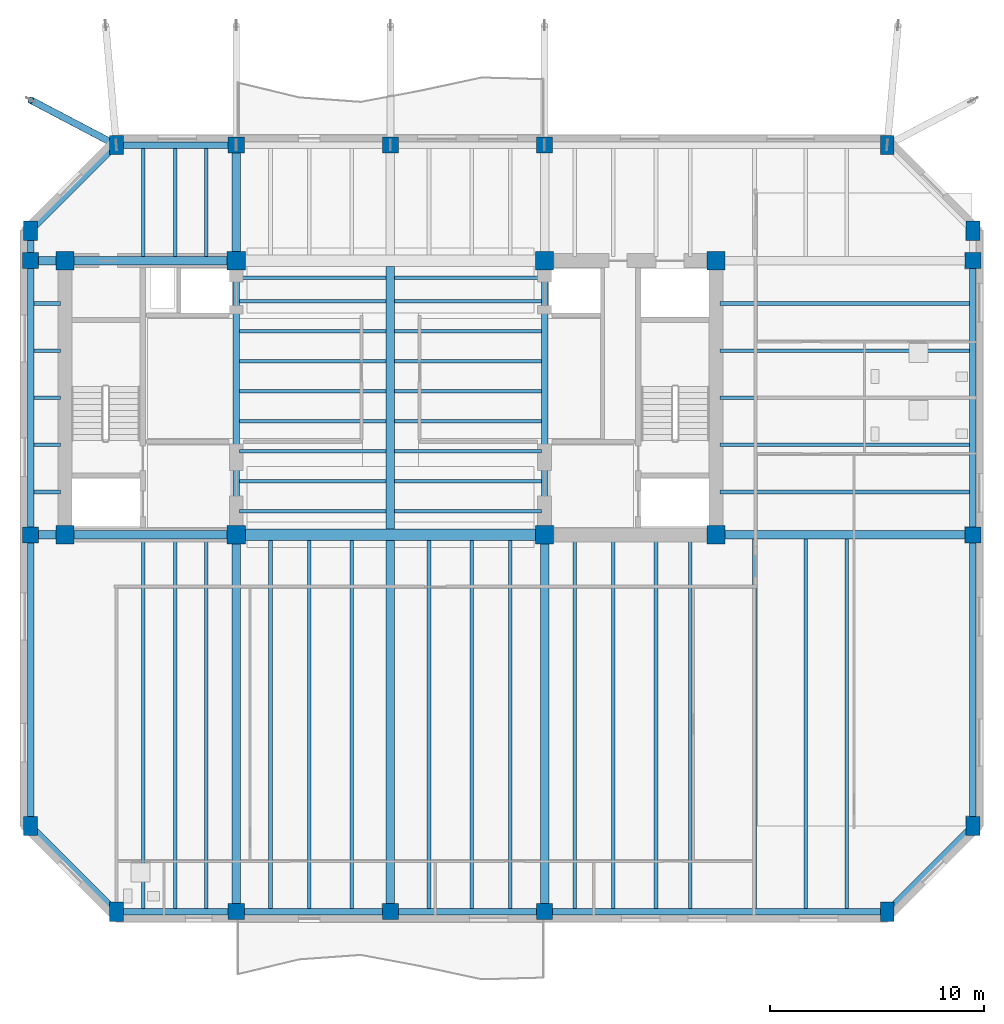
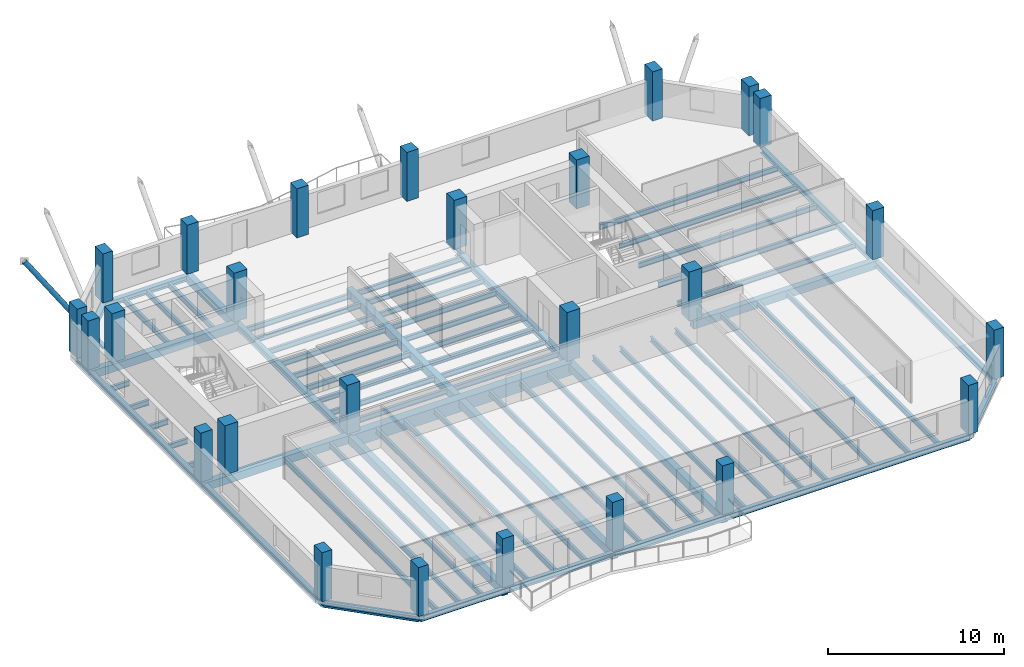
# One storey, part 1 of 11: 71 beams, 26 columns, 1 member.
"""IFC4 building model written with IfcOpenShell, lengths in metres."""

from ifc_helpers import new_model, si_unit, direction, frame, origin, origin_2d, place, context, subcontext, project, spatial, rectangle, hollow_circle, i_section, extrude, material, material_profile, profile_set, type_object, element, save


model = new_model("IFC4")

# Units and contexts
model_context = context("Model", 3, precision=1e-05, world=origin(), true_north=direction((0.0, 1.0)))
body_context = subcontext(model_context, "Body", "Model", "MODEL_VIEW")
ifc_project = project(units=[si_unit("LENGTHUNIT", "METRE"), si_unit("AREAUNIT", "SQUARE_METRE"), si_unit("VOLUMEUNIT", "CUBIC_METRE"), si_unit("PLANEANGLEUNIT", "RADIAN"), si_unit("MASSUNIT", "GRAM", prefix="KILO")], contexts=[model_context])

# Site, building, storey
site_placement = place(None, origin())
site = spatial("IfcSite", under=ifc_project, at=site_placement, CompositionType="ELEMENT")
building_placement = place(site_placement, origin())
building = spatial("IfcBuilding", under=site, at=building_placement, Name="Kranthara Brick Stack", CompositionType="ELEMENT")
storey_placement = place(building_placement, frame((0.0, 0.0, 244.89990234375)))
storey = spatial("IfcBuildingStorey", under=building, at=storey_placement, Name="L64", CompositionType="ELEMENT", Elevation=244.89990234375)

# Columns
ifc_material_1 = material(Name="Concrete C50/60", Category="concrete")
ifc_material_profile_1 = material_profile(ifc_material_1, rectangle(XDim=0.64990234375, YDim=0.89990234375, at=origin_2d()), Name="RC 650x900")
ifc_profile_set_1 = profile_set([ifc_material_profile_1], Name="Concrete C50/60")
column_type_1 = type_object("IfcColumnType", Name="COL-CHAM-650x900", PredefinedType="COLUMN", material=ifc_profile_set_1)
for number, where, z_axis, x_axis, name in (
    (1, (15.199951171875, 3.199951171875, 0.0), (0.0, 0.0, 1.0), (1.0, 0.0, 0.0), "L64 Column 09"),
    (2, (15.199951171875, 39.0, 0.0), (0.0, 0.0, 1.0), (1.0, 0.0, 0.0), "L64 Column 10"),
    (3, (51.199951171875, 3.199951171875, 0.0), (0.0, 0.0, 1.0), (1.0, 0.0, 0.0), "L64 Column 17"),
    (4, (51.199951171875, 39.0, 0.0), (0.0, 0.0, 1.0), (1.0, 0.0, 0.0), "L64 Column 18"),
    (5, (11.199951171875, 7.199951171875, 0.0), (0.0, 0.0, 1.0), (1.0, 0.0, 0.0), "L64 Column 19"),
    (6, (55.199951171875, 7.199951171875, 0.0), (0.0, 0.0, 1.0), (1.0, 0.0, 0.0), "L64 Column 20"),
    (7, (11.199951171875, 35.0, 0.0), (0.0, 0.0, 1.0), (1.0, 0.0, 0.0), "L64 Column 25"),
    (8, (55.199951171875, 35.0, 0.0), (0.0, 0.0, 1.0), (1.0, 0.0, 0.0), "L64 Column 26"),
):
    element("IfcColumn", number, at=place(storey_placement, frame(where, z_axis=z_axis, x_axis=x_axis)), inside=storey, type_object=column_type_1, Name=name, PredefinedType="COLUMN", context=body_context, shape_type="SweptSolid", body=[
        extrude(rectangle(XDim=0.64990234375, YDim=0.89990234375, at=origin_2d()), origin(), (0.0, 0.0, 1.0), 3.400146484375),
    ])
ifc_material_2 = material(Name="Concrete C50/60", Category="concrete")
ifc_material_profile_2 = material_profile(ifc_material_2, rectangle(XDim=0.85009765625, YDim=0.85009765625, at=origin_2d()), Name="RC 850x850")
ifc_profile_set_2 = profile_set([ifc_material_profile_2], Name="Concrete C50/60")
column_type_2 = type_object("IfcColumnType", Name="COL-CORE-850", PredefinedType="COLUMN", material=ifc_profile_set_2)
for number, where, z_axis, x_axis, name in (
    (9, (12.800048828125, 20.800048828125, 0.0), (0.0, 0.0, 1.0), (1.0, 0.0, 0.0), "L64 Column 01"),
    (10, (20.800048828125, 20.800048828125, 0.0), (0.0, 0.0, 1.0), (1.0, 0.0, 0.0), "L64 Column 02"),
    (11, (12.800048828125, 33.60009765625, 0.0), (0.0, 0.0, 1.0), (1.0, 0.0, 0.0), "L64 Column 03"),
    (12, (20.800048828125, 33.60009765625, 0.0), (0.0, 0.0, 1.0), (1.0, 0.0, 0.0), "L64 Column 04"),
    (13, (35.199951171875, 20.800048828125, 0.0), (0.0, 0.0, 1.0), (1.0, 0.0, 0.0), "L64 Column 05"),
    (14, (43.199951171875, 20.800048828125, 0.0), (0.0, 0.0, 1.0), (1.0, 0.0, 0.0), "L64 Column 06"),
    (15, (35.199951171875, 33.60009765625, 0.0), (0.0, 0.0, 1.0), (1.0, 0.0, 0.0), "L64 Column 07"),
    (16, (43.199951171875, 33.60009765625, 0.0), (0.0, 0.0, 1.0), (1.0, 0.0, 0.0), "L64 Column 08"),
):
    element("IfcColumn", number, at=place(storey_placement, frame(where, z_axis=z_axis, x_axis=x_axis)), inside=storey, type_object=column_type_2, Name=name, PredefinedType="COLUMN", context=body_context, shape_type="SweptSolid", body=[
        extrude(rectangle(XDim=0.85009765625, YDim=0.85009765625, at=origin_2d()), origin(), (0.0, 0.0, 1.0), 3.400146484375),
    ])
ifc_material_3 = material(Name="Concrete C50/60", Category="concrete")
ifc_material_profile_3 = material_profile(ifc_material_3, rectangle(XDim=0.75, YDim=0.75, at=origin_2d()), Name="RC 750x750")
ifc_profile_set_3 = profile_set([ifc_material_profile_3], Name="Concrete C50/60")
column_type_3 = type_object("IfcColumnType", Name="COL-PER-750", PredefinedType="COLUMN", material=ifc_profile_set_3)
for number, where, z_axis, x_axis, name in (
    (17, (20.800048828125, 3.199951171875, 0.0), (0.0, 0.0, 1.0), (1.0, 0.0, 0.0), "L64 Column 11"),
    (18, (20.800048828125, 39.0, 0.0), (0.0, 0.0, 1.0), (1.0, 0.0, 0.0), "L64 Column 12"),
    (19, (28.0, 3.199951171875, 0.0), (0.0, 0.0, 1.0), (1.0, 0.0, 0.0), "L64 Column 13"),
    (20, (28.0, 39.0, 0.0), (0.0, 0.0, 1.0), (1.0, 0.0, 0.0), "L64 Column 14"),
    (21, (35.199951171875, 3.199951171875, 0.0), (0.0, 0.0, 1.0), (1.0, 0.0, 0.0), "L64 Column 15"),
    (22, (35.199951171875, 39.0, 0.0), (0.0, 0.0, 1.0), (1.0, 0.0, 0.0), "L64 Column 16"),
    (23, (11.199951171875, 20.800048828125, 0.0), (0.0, 0.0, 1.0), (1.0, 0.0, 0.0), "L64 Column 21"),
    (24, (55.199951171875, 20.800048828125, 0.0), (0.0, 0.0, 1.0), (1.0, 0.0, 0.0), "L64 Column 22"),
    (25, (11.199951171875, 33.60009765625, 0.0), (0.0, 0.0, 1.0), (1.0, 0.0, 0.0), "L64 Column 23"),
    (26, (55.199951171875, 33.60009765625, 0.0), (0.0, 0.0, 1.0), (1.0, 0.0, 0.0), "L64 Column 24"),
):
    element("IfcColumn", number, at=place(storey_placement, frame(where, z_axis=z_axis, x_axis=x_axis)), inside=storey, type_object=column_type_3, Name=name, PredefinedType="COLUMN", context=body_context, shape_type="SweptSolid", body=[
        extrude(rectangle(XDim=0.75, YDim=0.75, at=origin_2d()), origin(), (0.0, 0.0, 1.0), 3.400146484375),
    ])

# Beams
ifc_material_4 = material(Name="Concrete C50/60", Category="concrete")
ifc_material_profile_4 = material_profile(ifc_material_4, rectangle(XDim=0.550048828125, YDim=0.85009765625, at=origin_2d()), Name="RC 550x850")
ifc_profile_set_4 = profile_set([ifc_material_profile_4], Name="Concrete C50/60")
beam_type_1 = type_object("IfcBeamType", Name="BM-CPL-RC850", PredefinedType="LINTEL", material=ifc_profile_set_4)
beam_1_placement = place(storey_placement, frame((20.800048828125, 20.800048828125, -0.724853515625), z_axis=(1.0, 0.0, 0.0), x_axis=(0.0, 1.0, 0.0)))
element("IfcBeam", 27, at=beam_1_placement, inside=storey, type_object=beam_type_1, Name="L64 Core Coupling Beam 001", PredefinedType="LINTEL", context=body_context, shape_type="SweptSolid", body=[
    extrude(rectangle(XDim=0.550048828125, YDim=0.85009765625, at=origin_2d()), origin(), (0.0, 0.0, 1.0), 14.39990234375),
])
ifc_material_5 = material(Name="Post-tensioned concrete C45/55", Category="concrete")
ifc_material_profile_5 = material_profile(ifc_material_5, rectangle(XDim=0.39990234375, YDim=0.550048828125, at=origin_2d()), Name="PT 400x550")
ifc_profile_set_5 = profile_set([ifc_material_profile_5], Name="Post-tensioned concrete C45/55")
beam_type_2 = type_object("IfcBeamType", Name="BM-FLR-PT550", PredefinedType="BEAM", material=ifc_profile_set_5)
beam_2_placement = place(storey_placement, frame((20.800048828125, 3.199951171875, -0.574951171875), z_axis=(0.0, 1.0, 0.0), x_axis=(-1.0, 0.0, 0.0)))
element("IfcBeam", 28, at=beam_2_placement, inside=storey, type_object=beam_type_2, Name="L64 Primary Grid Girder 023", PredefinedType="BEAM", context=body_context, shape_type="SweptSolid", body=[
    extrude(rectangle(XDim=0.39990234375, YDim=0.550048828125, at=origin_2d()), origin(), (0.0, 0.0, 1.0), 17.60009765625),
])
beam_3_placement = place(storey_placement, frame((20.800048828125, 33.60009765625, -0.574951171875), z_axis=(0.0, 1.0, 0.0), x_axis=(-1.0, 0.0, 0.0)))
element("IfcBeam", 29, at=beam_3_placement, inside=storey, type_object=beam_type_2, Name="L64 Primary Grid Girder 024", PredefinedType="BEAM", context=body_context, shape_type="SweptSolid", body=[
    extrude(rectangle(XDim=0.39990234375, YDim=0.550048828125, at=origin_2d()), origin(), (0.0, 0.0, 1.0), 5.39990234375),
])
beam_4_placement = place(storey_placement, frame((28.0, 3.199951171875, -0.574951171875), z_axis=(0.0, 1.0, 0.0), x_axis=(-1.0, 0.0, 0.0)))
element("IfcBeam", 30, at=beam_4_placement, inside=storey, type_object=beam_type_2, Name="L64 Primary Grid Girder 025", PredefinedType="BEAM", context=body_context, shape_type="SweptSolid", body=[
    extrude(rectangle(XDim=0.39990234375, YDim=0.550048828125, at=origin_2d()), origin(), (0.0, 0.0, 1.0), 17.324951171875),
])
beam_5_placement = place(storey_placement, frame((28.0, 21.074951171875, -0.574951171875), z_axis=(0.0, 1.0, 0.0), x_axis=(-1.0, 0.0, 0.0)))
element("IfcBeam", 31, at=beam_5_placement, inside=storey, type_object=beam_type_2, Name="L64 Central Spine Girder 026", PredefinedType="BEAM", context=body_context, shape_type="SweptSolid", body=[
    extrude(rectangle(XDim=0.39990234375, YDim=0.550048828125, at=origin_2d()), origin(), (0.0, 0.0, 1.0), 12.25),
])
beam_6_placement = place(storey_placement, frame((35.199951171875, 3.199951171875, -0.574951171875), z_axis=(0.0, 1.0, 0.0), x_axis=(-1.0, 0.0, 0.0)))
element("IfcBeam", 32, at=beam_6_placement, inside=storey, type_object=beam_type_2, Name="L64 Primary Grid Girder 028", PredefinedType="BEAM", context=body_context, shape_type="SweptSolid", body=[
    extrude(rectangle(XDim=0.39990234375, YDim=0.550048828125, at=origin_2d()), origin(), (0.0, 0.0, 1.0), 17.60009765625),
])
beam_7_placement = place(storey_placement, frame((11.199951171875, 20.800048828125, -0.574951171875), z_axis=(1.0, 0.0, 0.0), x_axis=(0.0, 1.0, 0.0)))
element("IfcBeam", 33, at=beam_7_placement, inside=storey, type_object=beam_type_2, Name="L64 Primary Grid Girder 030", PredefinedType="BEAM", context=body_context, shape_type="SweptSolid", body=[
    extrude(rectangle(XDim=0.39990234375, YDim=0.550048828125, at=origin_2d()), origin(), (0.0, 0.0, 1.0), 9.60009765625),
])
beam_8_placement = place(storey_placement, frame((43.199951171875, 20.800048828125, -0.574951171875), z_axis=(1.0, 0.0, 0.0), x_axis=(0.0, 1.0, 0.0)))
element("IfcBeam", 34, at=beam_8_placement, inside=storey, type_object=beam_type_2, Name="L64 Primary Grid Girder 031", PredefinedType="BEAM", context=body_context, shape_type="SweptSolid", body=[
    extrude(rectangle(XDim=0.39990234375, YDim=0.550048828125, at=origin_2d()), origin(), (0.0, 0.0, 1.0), 12.0),
])
beam_9_placement = place(storey_placement, frame((11.199951171875, 33.60009765625, -0.574951171875), z_axis=(1.0, 0.0, 0.0), x_axis=(0.0, 1.0, 0.0)))
element("IfcBeam", 35, at=beam_9_placement, inside=storey, type_object=beam_type_2, Name="L64 Primary Grid Girder 032", PredefinedType="BEAM", context=body_context, shape_type="SweptSolid", body=[
    extrude(rectangle(XDim=0.39990234375, YDim=0.550048828125, at=origin_2d()), origin(), (0.0, 0.0, 1.0), 9.60009765625),
])
ifc_material_6 = material(Name="Steel S355", Category="steel")
ifc_material_profile_6 = material_profile(ifc_material_6, i_section(OverallWidth=0.169921875, OverallDepth=0.360107421875, WebThickness=0.008056640625, FlangeThickness=0.0126953125, at=origin_2d()), Name="IPE 360")
ifc_profile_set_6 = profile_set([ifc_material_profile_6], Name="Steel S355")
beam_type_3 = type_object("IfcBeamType", Name="BM-JST-IPE360", PredefinedType="JOIST", material=ifc_profile_set_6)
for number, where, z_axis, x_axis, name in (
    (36, (20.949951171875, 21.89990234375, -0.47998046875), (1.0, 0.0, 0.0), (0.0, 1.0, 0.0), "L64 Central Floor Joist 034"),
    (37, (28.199951171875, 21.89990234375, -0.47998046875), (1.0, 0.0, 0.0), (0.0, 1.0, 0.0), "L64 Central Floor Joist 035"),
    (38, (20.949951171875, 23.300048828125, -0.47998046875), (1.0, 0.0, 0.0), (0.0, 1.0, 0.0), "L64 Central Floor Joist 036"),
    (39, (28.199951171875, 23.300048828125, -0.47998046875), (1.0, 0.0, 0.0), (0.0, 1.0, 0.0), "L64 Central Floor Joist 037"),
    (40, (20.949951171875, 24.699951171875, -0.47998046875), (1.0, 0.0, 0.0), (0.0, 1.0, 0.0), "L64 Central Floor Joist 038"),
    (41, (28.199951171875, 24.699951171875, -0.47998046875), (1.0, 0.0, 0.0), (0.0, 1.0, 0.0), "L64 Central Floor Joist 039"),
    (42, (20.949951171875, 26.10009765625, -0.47998046875), (1.0, 0.0, 0.0), (0.0, 1.0, 0.0), "L64 Central Floor Joist 040"),
    (43, (28.199951171875, 26.10009765625, -0.47998046875), (1.0, 0.0, 0.0), (0.0, 1.0, 0.0), "L64 Central Floor Joist 041"),
    (44, (20.949951171875, 27.5, -0.47998046875), (1.0, 0.0, 0.0), (0.0, 1.0, 0.0), "L64 Central Floor Joist 042"),
    (45, (28.199951171875, 27.5, -0.47998046875), (1.0, 0.0, 0.0), (0.0, 1.0, 0.0), "L64 Central Floor Joist 043"),
    (46, (20.949951171875, 28.89990234375, -0.47998046875), (1.0, 0.0, 0.0), (0.0, 1.0, 0.0), "L64 Central Floor Joist 044"),
    (47, (28.199951171875, 28.89990234375, -0.47998046875), (1.0, 0.0, 0.0), (0.0, 1.0, 0.0), "L64 Central Floor Joist 045"),
    (48, (20.949951171875, 30.300048828125, -0.47998046875), (1.0, 0.0, 0.0), (0.0, 1.0, 0.0), "L64 Central Floor Joist 046"),
    (49, (28.199951171875, 30.300048828125, -0.47998046875), (1.0, 0.0, 0.0), (0.0, 1.0, 0.0), "L64 Central Floor Joist 047"),
    (50, (20.949951171875, 31.699951171875, -0.47998046875), (1.0, 0.0, 0.0), (0.0, 1.0, 0.0), "L64 Central Floor Joist 048"),
    (51, (28.199951171875, 31.699951171875, -0.47998046875), (1.0, 0.0, 0.0), (0.0, 1.0, 0.0), "L64 Central Floor Joist 049"),
    (52, (20.949951171875, 32.800048828125, -0.47998046875), (1.0, 0.0, 0.0), (0.0, 1.0, 0.0), "L64 Central Floor Joist 050"),
    (53, (28.199951171875, 32.800048828125, -0.47998046875), (1.0, 0.0, 0.0), (0.0, 1.0, 0.0), "L64 Central Floor Joist 051"),
):
    element("IfcBeam", number, at=place(storey_placement, frame(where, z_axis=z_axis, x_axis=x_axis)), inside=storey, type_object=beam_type_3, Name=name, PredefinedType="JOIST", context=body_context, shape_type="SweptSolid", body=[
        extrude(i_section(OverallWidth=0.169921875, OverallDepth=0.360107421875, WebThickness=0.008056640625, FlangeThickness=0.0126953125, at=origin_2d()), origin(), (0.0, 0.0, 1.0), 6.85009765625),
    ])
beam_10_placement = place(storey_placement, frame((16.449951171875, 3.35009765625, -0.47998046875), z_axis=(0.0, 1.0, 0.0), x_axis=(-1.0, 0.0, 0.0)))
element("IfcBeam", 54, at=beam_10_placement, inside=storey, type_object=beam_type_3, Name="L64 South Wing Floor Joist 052", PredefinedType="JOIST", context=body_context, shape_type="SweptSolid", body=[
    extrude(i_section(OverallWidth=0.169921875, OverallDepth=0.360107421875, WebThickness=0.008056640625, FlangeThickness=0.0126953125, at=origin_2d()), origin(), (0.0, 0.0, 1.0), 17.25),
])
beam_11_placement = place(storey_placement, frame((16.449951171875, 33.800048828125, -0.47998046875), z_axis=(0.0, 1.0, 0.0), x_axis=(-1.0, 0.0, 0.0)))
element("IfcBeam", 55, at=beam_11_placement, inside=storey, type_object=beam_type_3, Name="L64 North Wing Floor Joist 053", PredefinedType="JOIST", context=body_context, shape_type="SweptSolid", body=[
    extrude(i_section(OverallWidth=0.169921875, OverallDepth=0.360107421875, WebThickness=0.008056640625, FlangeThickness=0.0126953125, at=origin_2d()), origin(), (0.0, 0.0, 1.0), 5.050048828125),
])
beam_12_placement = place(storey_placement, frame((17.949951171875, 3.35009765625, -0.47998046875), z_axis=(0.0, 1.0, 0.0), x_axis=(-1.0, 0.0, 0.0)))
element("IfcBeam", 56, at=beam_12_placement, inside=storey, type_object=beam_type_3, Name="L64 South Wing Floor Joist 054", PredefinedType="JOIST", context=body_context, shape_type="SweptSolid", body=[
    extrude(i_section(OverallWidth=0.169921875, OverallDepth=0.360107421875, WebThickness=0.008056640625, FlangeThickness=0.0126953125, at=origin_2d()), origin(), (0.0, 0.0, 1.0), 17.25),
])
beam_13_placement = place(storey_placement, frame((17.949951171875, 33.800048828125, -0.47998046875), z_axis=(0.0, 1.0, 0.0), x_axis=(-1.0, 0.0, 0.0)))
element("IfcBeam", 57, at=beam_13_placement, inside=storey, type_object=beam_type_3, Name="L64 North Wing Floor Joist 055", PredefinedType="JOIST", context=body_context, shape_type="SweptSolid", body=[
    extrude(i_section(OverallWidth=0.169921875, OverallDepth=0.360107421875, WebThickness=0.008056640625, FlangeThickness=0.0126953125, at=origin_2d()), origin(), (0.0, 0.0, 1.0), 5.050048828125),
])
beam_14_placement = place(storey_placement, frame((19.39990234375, 3.35009765625, -0.47998046875), z_axis=(0.0, 1.0, 0.0), x_axis=(-1.0, 0.0, 0.0)))
element("IfcBeam", 58, at=beam_14_placement, inside=storey, type_object=beam_type_3, Name="L64 South Wing Floor Joist 056", PredefinedType="JOIST", context=body_context, shape_type="SweptSolid", body=[
    extrude(i_section(OverallWidth=0.169921875, OverallDepth=0.360107421875, WebThickness=0.008056640625, FlangeThickness=0.0126953125, at=origin_2d()), origin(), (0.0, 0.0, 1.0), 17.25),
])
beam_15_placement = place(storey_placement, frame((19.39990234375, 33.800048828125, -0.47998046875), z_axis=(0.0, 1.0, 0.0), x_axis=(-1.0, 0.0, 0.0)))
element("IfcBeam", 59, at=beam_15_placement, inside=storey, type_object=beam_type_3, Name="L64 North Wing Floor Joist 057", PredefinedType="JOIST", context=body_context, shape_type="SweptSolid", body=[
    extrude(i_section(OverallWidth=0.169921875, OverallDepth=0.360107421875, WebThickness=0.008056640625, FlangeThickness=0.0126953125, at=origin_2d()), origin(), (0.0, 0.0, 1.0), 5.050048828125),
])
for number, where, z_axis, x_axis, name in (
    (60, (22.39990234375, 3.35009765625, -0.47998046875), (0.0, 1.0, 0.0), (-1.0, 0.0, 0.0), "L64 South Wing Floor Joist 058"),
    (61, (24.199951171875, 3.35009765625, -0.47998046875), (0.0, 1.0, 0.0), (-1.0, 0.0, 0.0), "L64 South Wing Floor Joist 060"),
    (62, (26.199951171875, 3.35009765625, -0.47998046875), (0.0, 1.0, 0.0), (-1.0, 0.0, 0.0), "L64 South Wing Floor Joist 062"),
    (63, (29.800048828125, 3.35009765625, -0.47998046875), (0.0, 1.0, 0.0), (-1.0, 0.0, 0.0), "L64 South Wing Floor Joist 064"),
    (64, (31.800048828125, 3.35009765625, -0.47998046875), (0.0, 1.0, 0.0), (-1.0, 0.0, 0.0), "L64 South Wing Floor Joist 066"),
    (65, (33.60009765625, 3.35009765625, -0.47998046875), (0.0, 1.0, 0.0), (-1.0, 0.0, 0.0), "L64 South Wing Floor Joist 068"),
):
    element("IfcBeam", number, at=place(storey_placement, frame(where, z_axis=z_axis, x_axis=x_axis)), inside=storey, type_object=beam_type_3, Name=name, PredefinedType="JOIST", context=body_context, shape_type="SweptSolid", body=[
        extrude(i_section(OverallWidth=0.169921875, OverallDepth=0.360107421875, WebThickness=0.008056640625, FlangeThickness=0.0126953125, at=origin_2d()), origin(), (0.0, 0.0, 1.0), 17.1748046875),
    ])
for number, where, z_axis, x_axis, name in (
    (66, (36.60009765625, 3.35009765625, -0.47998046875), (0.0, 1.0, 0.0), (-1.0, 0.0, 0.0), "L64 South Wing Floor Joist 070"),
    (67, (38.39990234375, 3.35009765625, -0.47998046875), (0.0, 1.0, 0.0), (-1.0, 0.0, 0.0), "L64 South Wing Floor Joist 072"),
    (68, (40.39990234375, 3.35009765625, -0.47998046875), (0.0, 1.0, 0.0), (-1.0, 0.0, 0.0), "L64 South Wing Floor Joist 074"),
    (69, (42.0, 3.35009765625, -0.47998046875), (0.0, 1.0, 0.0), (-1.0, 0.0, 0.0), "L64 South Wing Floor Joist 076"),
    (70, (45.0, 3.35009765625, -0.47998046875), (0.0, 1.0, 0.0), (-1.0, 0.0, 0.0), "L64 South Wing Floor Joist 078"),
    (71, (47.39990234375, 3.35009765625, -0.47998046875), (0.0, 1.0, 0.0), (-1.0, 0.0, 0.0), "L64 South Wing Floor Joist 080"),
    (72, (49.300048828125, 3.35009765625, -0.47998046875), (0.0, 1.0, 0.0), (-1.0, 0.0, 0.0), "L64 South Wing Floor Joist 082"),
):
    element("IfcBeam", number, at=place(storey_placement, frame(where, z_axis=z_axis, x_axis=x_axis)), inside=storey, type_object=beam_type_3, Name=name, PredefinedType="JOIST", context=body_context, shape_type="SweptSolid", body=[
        extrude(i_section(OverallWidth=0.169921875, OverallDepth=0.360107421875, WebThickness=0.008056640625, FlangeThickness=0.0126953125, at=origin_2d()), origin(), (0.0, 0.0, 1.0), 17.25),
    ])
beam_16_placement = place(storey_placement, frame((11.35009765625, 22.800048828125, -0.47998046875), z_axis=(1.0, 0.0, 0.0), x_axis=(0.0, 1.0, 0.0)))
element("IfcBeam", 73, at=beam_16_placement, inside=storey, type_object=beam_type_3, Name="L64 West Wing Floor Joist 084", PredefinedType="JOIST", context=body_context, shape_type="SweptSolid", body=[
    extrude(i_section(OverallWidth=0.169921875, OverallDepth=0.360107421875, WebThickness=0.008056640625, FlangeThickness=0.0126953125, at=origin_2d()), origin(), (0.0, 0.0, 1.0), 1.25),
])
beam_17_placement = place(storey_placement, frame((43.39990234375, 22.800048828125, -0.47998046875), z_axis=(1.0, 0.0, 0.0), x_axis=(0.0, 1.0, 0.0)))
element("IfcBeam", 74, at=beam_17_placement, inside=storey, type_object=beam_type_3, Name="L64 East Wing Floor Joist 085", PredefinedType="JOIST", context=body_context, shape_type="SweptSolid", body=[
    extrude(i_section(OverallWidth=0.169921875, OverallDepth=0.360107421875, WebThickness=0.008056640625, FlangeThickness=0.0126953125, at=origin_2d()), origin(), (0.0, 0.0, 1.0), 11.650146484375),
])
beam_18_placement = place(storey_placement, frame((11.35009765625, 25.0, -0.47998046875), z_axis=(1.0, 0.0, 0.0), x_axis=(0.0, 1.0, 0.0)))
element("IfcBeam", 75, at=beam_18_placement, inside=storey, type_object=beam_type_3, Name="L64 West Wing Floor Joist 086", PredefinedType="JOIST", context=body_context, shape_type="SweptSolid", body=[
    extrude(i_section(OverallWidth=0.169921875, OverallDepth=0.360107421875, WebThickness=0.008056640625, FlangeThickness=0.0126953125, at=origin_2d()), origin(), (0.0, 0.0, 1.0), 1.25),
])
beam_19_placement = place(storey_placement, frame((43.39990234375, 25.0, -0.47998046875), z_axis=(1.0, 0.0, 0.0), x_axis=(0.0, 1.0, 0.0)))
element("IfcBeam", 76, at=beam_19_placement, inside=storey, type_object=beam_type_3, Name="L64 East Wing Floor Joist 087", PredefinedType="JOIST", context=body_context, shape_type="SweptSolid", body=[
    extrude(i_section(OverallWidth=0.169921875, OverallDepth=0.360107421875, WebThickness=0.008056640625, FlangeThickness=0.0126953125, at=origin_2d()), origin(), (0.0, 0.0, 1.0), 11.650146484375),
])
beam_20_placement = place(storey_placement, frame((11.35009765625, 27.199951171875, -0.47998046875), z_axis=(1.0, 0.0, 0.0), x_axis=(0.0, 1.0, 0.0)))
element("IfcBeam", 77, at=beam_20_placement, inside=storey, type_object=beam_type_3, Name="L64 West Wing Floor Joist 088", PredefinedType="JOIST", context=body_context, shape_type="SweptSolid", body=[
    extrude(i_section(OverallWidth=0.169921875, OverallDepth=0.360107421875, WebThickness=0.008056640625, FlangeThickness=0.0126953125, at=origin_2d()), origin(), (0.0, 0.0, 1.0), 1.25),
])
beam_21_placement = place(storey_placement, frame((43.39990234375, 27.199951171875, -0.47998046875), z_axis=(1.0, 0.0, 0.0), x_axis=(0.0, 1.0, 0.0)))
element("IfcBeam", 78, at=beam_21_placement, inside=storey, type_object=beam_type_3, Name="L64 East Wing Floor Joist 089", PredefinedType="JOIST", context=body_context, shape_type="SweptSolid", body=[
    extrude(i_section(OverallWidth=0.169921875, OverallDepth=0.360107421875, WebThickness=0.008056640625, FlangeThickness=0.0126953125, at=origin_2d()), origin(), (0.0, 0.0, 1.0), 11.650146484375),
])
beam_22_placement = place(storey_placement, frame((11.35009765625, 29.39990234375, -0.47998046875), z_axis=(1.0, 0.0, 0.0), x_axis=(0.0, 1.0, 0.0)))
element("IfcBeam", 79, at=beam_22_placement, inside=storey, type_object=beam_type_3, Name="L64 West Wing Floor Joist 090", PredefinedType="JOIST", context=body_context, shape_type="SweptSolid", body=[
    extrude(i_section(OverallWidth=0.169921875, OverallDepth=0.360107421875, WebThickness=0.008056640625, FlangeThickness=0.0126953125, at=origin_2d()), origin(), (0.0, 0.0, 1.0), 1.25),
])
beam_23_placement = place(storey_placement, frame((43.39990234375, 29.39990234375, -0.47998046875), z_axis=(1.0, 0.0, 0.0), x_axis=(0.0, 1.0, 0.0)))
element("IfcBeam", 80, at=beam_23_placement, inside=storey, type_object=beam_type_3, Name="L64 East Wing Floor Joist 091", PredefinedType="JOIST", context=body_context, shape_type="SweptSolid", body=[
    extrude(i_section(OverallWidth=0.169921875, OverallDepth=0.360107421875, WebThickness=0.008056640625, FlangeThickness=0.0126953125, at=origin_2d()), origin(), (0.0, 0.0, 1.0), 11.650146484375),
])
beam_24_placement = place(storey_placement, frame((11.35009765625, 31.60009765625, -0.47998046875), z_axis=(1.0, 0.0, 0.0), x_axis=(0.0, 1.0, 0.0)))
element("IfcBeam", 81, at=beam_24_placement, inside=storey, type_object=beam_type_3, Name="L64 West Wing Floor Joist 092", PredefinedType="JOIST", context=body_context, shape_type="SweptSolid", body=[
    extrude(i_section(OverallWidth=0.169921875, OverallDepth=0.360107421875, WebThickness=0.008056640625, FlangeThickness=0.0126953125, at=origin_2d()), origin(), (0.0, 0.0, 1.0), 1.25),
])
beam_25_placement = place(storey_placement, frame((43.39990234375, 31.60009765625, -0.47998046875), z_axis=(1.0, 0.0, 0.0), x_axis=(0.0, 1.0, 0.0)))
element("IfcBeam", 82, at=beam_25_placement, inside=storey, type_object=beam_type_3, Name="L64 East Wing Floor Joist 093", PredefinedType="JOIST", context=body_context, shape_type="SweptSolid", body=[
    extrude(i_section(OverallWidth=0.169921875, OverallDepth=0.360107421875, WebThickness=0.008056640625, FlangeThickness=0.0126953125, at=origin_2d()), origin(), (0.0, 0.0, 1.0), 11.650146484375),
])
ifc_material_7 = material(Name="Steel S355", Category="steel")
ifc_material_profile_7 = material_profile(ifc_material_7, i_section(OverallWidth=0.300048828125, OverallDepth=0.360107421875, WebThickness=0.012451171875, FlangeThickness=0.0224609375, at=origin_2d()), Name="HEB 360")
ifc_profile_set_7 = profile_set([ifc_material_profile_7], Name="Steel S355")
beam_type_4 = type_object("IfcBeamType", Name="BM-STL-HEB360", PredefinedType="SPANDREL", material=ifc_profile_set_7)
beam_26_placement = place(storey_placement, frame((15.199951171875, 3.199951171875, -0.47998046875), z_axis=(1.0, 0.0, 0.0), x_axis=(0.0, 1.0, 0.0)))
element("IfcBeam", 83, at=beam_26_placement, inside=storey, type_object=beam_type_4, Name="L64 Perimeter Spandrel Beam 005", PredefinedType="SPANDREL", context=body_context, shape_type="SweptSolid", body=[
    extrude(i_section(OverallWidth=0.300048828125, OverallDepth=0.360107421875, WebThickness=0.012451171875, FlangeThickness=0.0224609375, at=origin_2d()), origin(), (0.0, 0.0, 1.0), 5.60009765625),
])
for number, where, z_axis, x_axis, name in (
    (84, (20.800048828125, 3.199951171875, -0.47998046875), (1.0, 0.0, 0.0), (0.0, 1.0, 0.0), "L64 Perimeter Spandrel Beam 006"),
    (85, (28.0, 3.199951171875, -0.47998046875), (1.0, 0.0, 0.0), (0.0, 1.0, 0.0), "L64 Perimeter Spandrel Beam 007"),
):
    element("IfcBeam", number, at=place(storey_placement, frame(where, z_axis=z_axis, x_axis=x_axis)), inside=storey, type_object=beam_type_4, Name=name, PredefinedType="SPANDREL", context=body_context, shape_type="SweptSolid", body=[
        extrude(i_section(OverallWidth=0.300048828125, OverallDepth=0.360107421875, WebThickness=0.012451171875, FlangeThickness=0.0224609375, at=origin_2d()), origin(), (0.0, 0.0, 1.0), 7.199951171875),
    ])
beam_27_placement = place(storey_placement, frame((35.199951171875, 3.199951171875, -0.47998046875), z_axis=(1.0, 0.0, 0.0), x_axis=(0.0, 1.0, 0.0)))
element("IfcBeam", 86, at=beam_27_placement, inside=storey, type_object=beam_type_4, Name="L64 Perimeter Spandrel Beam 008", PredefinedType="SPANDREL", context=body_context, shape_type="SweptSolid", body=[
    extrude(i_section(OverallWidth=0.300048828125, OverallDepth=0.360107421875, WebThickness=0.012451171875, FlangeThickness=0.0224609375, at=origin_2d()), origin(), (0.0, 0.0, 1.0), 16.0),
])
beam_28_placement = place(storey_placement, frame((15.199951171875, 39.0, -0.47998046875), z_axis=(1.0, 0.0, 0.0), x_axis=(0.0, 1.0, 0.0)))
element("IfcBeam", 87, at=beam_28_placement, inside=storey, type_object=beam_type_4, Name="L64 Perimeter Spandrel Beam 009", PredefinedType="SPANDREL", context=body_context, shape_type="SweptSolid", body=[
    extrude(i_section(OverallWidth=0.300048828125, OverallDepth=0.360107421875, WebThickness=0.012451171875, FlangeThickness=0.0224609375, at=origin_2d()), origin(), (0.0, 0.0, 1.0), 5.60009765625),
])
beam_29_placement = place(storey_placement, frame((11.199951171875, 7.199951171875, -0.47998046875), z_axis=(0.0, 1.0, 0.0), x_axis=(-1.0, 0.0, 0.0)))
element("IfcBeam", 88, at=beam_29_placement, inside=storey, type_object=beam_type_4, Name="L64 Perimeter Spandrel Beam 013", PredefinedType="SPANDREL", context=body_context, shape_type="SweptSolid", body=[
    extrude(i_section(OverallWidth=0.300048828125, OverallDepth=0.360107421875, WebThickness=0.012451171875, FlangeThickness=0.0224609375, at=origin_2d()), origin(), (0.0, 0.0, 1.0), 13.60009765625),
])
beam_30_placement = place(storey_placement, frame((11.199951171875, 20.800048828125, -0.47998046875), z_axis=(0.0, 1.0, 0.0), x_axis=(-1.0, 0.0, 0.0)))
element("IfcBeam", 89, at=beam_30_placement, inside=storey, type_object=beam_type_4, Name="L64 Perimeter Spandrel Beam 014", PredefinedType="SPANDREL", context=body_context, shape_type="SweptSolid", body=[
    extrude(i_section(OverallWidth=0.300048828125, OverallDepth=0.360107421875, WebThickness=0.012451171875, FlangeThickness=0.0224609375, at=origin_2d()), origin(), (0.0, 0.0, 1.0), 12.800048828125),
])
beam_31_placement = place(storey_placement, frame((11.199951171875, 33.60009765625, -0.47998046875), z_axis=(0.0, 1.0, 0.0), x_axis=(-1.0, 0.0, 0.0)))
element("IfcBeam", 90, at=beam_31_placement, inside=storey, type_object=beam_type_4, Name="L64 Perimeter Spandrel Beam 015", PredefinedType="SPANDREL", context=body_context, shape_type="SweptSolid", body=[
    extrude(i_section(OverallWidth=0.300048828125, OverallDepth=0.360107421875, WebThickness=0.012451171875, FlangeThickness=0.0224609375, at=origin_2d()), origin(), (0.0, 0.0, 1.0), 1.39990234375),
])
beam_32_placement = place(storey_placement, frame((55.199951171875, 7.199951171875, -0.47998046875), z_axis=(0.0, 1.0, 0.0), x_axis=(-1.0, 0.0, 0.0)))
element("IfcBeam", 91, at=beam_32_placement, inside=storey, type_object=beam_type_4, Name="L64 Perimeter Spandrel Beam 016", PredefinedType="SPANDREL", context=body_context, shape_type="SweptSolid", body=[
    extrude(i_section(OverallWidth=0.300048828125, OverallDepth=0.360107421875, WebThickness=0.012451171875, FlangeThickness=0.0224609375, at=origin_2d()), origin(), (0.0, 0.0, 1.0), 13.60009765625),
])
beam_33_placement = place(storey_placement, frame((55.199951171875, 20.800048828125, -0.47998046875), z_axis=(0.0, 1.0, 0.0), x_axis=(-1.0, 0.0, 0.0)))
element("IfcBeam", 92, at=beam_33_placement, inside=storey, type_object=beam_type_4, Name="L64 Perimeter Spandrel Beam 017", PredefinedType="SPANDREL", context=body_context, shape_type="SweptSolid", body=[
    extrude(i_section(OverallWidth=0.300048828125, OverallDepth=0.360107421875, WebThickness=0.012451171875, FlangeThickness=0.0224609375, at=origin_2d()), origin(), (0.0, 0.0, 1.0), 12.800048828125),
])
for number, where, z_axis, x_axis, name in (
    (93, (15.199951171875, 3.199951171875, -0.47998046875), (-0.707106781187, 0.707106781187, 0.0), (-0.707106781187, -0.707106781187, 0.0), "L64 Chamfer Corner Spandrel 019"),
    (94, (51.199951171875, 3.199951171875, -0.47998046875), (0.707106781187, 0.707106781187, 0.0), (-0.707106781187, 0.707106781187, 0.0), "L64 Chamfer Corner Spandrel 020"),
    (95, (15.199951171875, 39.0, -0.47998046875), (-0.707106781187, -0.707106781187, 0.0), (0.707106781187, -0.707106781187, 0.0), "L64 Chamfer Corner Spandrel 021"),
):
    element("IfcBeam", number, at=place(storey_placement, frame(where, z_axis=z_axis, x_axis=x_axis)), inside=storey, type_object=beam_type_4, Name=name, PredefinedType="SPANDREL", context=body_context, shape_type="SweptSolid", body=[
        extrude(i_section(OverallWidth=0.300048828125, OverallDepth=0.360107421875, WebThickness=0.012451171875, FlangeThickness=0.0224609375, at=origin_2d()), origin(), (0.0, 0.0, 1.0), 5.65673828125),
    ])
ifc_material_8 = material(Name="Steel S355", Category="steel")
ifc_material_profile_8 = material_profile(ifc_material_8, i_section(OverallWidth=0.300048828125, OverallDepth=0.449951171875, WebThickness=0.013916015625, FlangeThickness=0.02587890625, at=origin_2d()), Name="HEB 450")
ifc_profile_set_8 = profile_set([ifc_material_profile_8], Name="Steel S355")
beam_type_5 = type_object("IfcBeamType", Name="BM-STL-HEB450", PredefinedType="SPANDREL", material=ifc_profile_set_8)
for number, where, z_axis, x_axis, name in (
    (96, (20.800048828125, 20.800048828125, -0.52490234375), (0.0, 1.0, 0.0), (-1.0, 0.0, 0.0), "L64 Core Edge Tie Beam 003"),
    (97, (35.199951171875, 20.800048828125, -0.52490234375), (0.0, 1.0, 0.0), (-1.0, 0.0, 0.0), "L64 Core Edge Tie Beam 004"),
):
    element("IfcBeam", number, at=place(storey_placement, frame(where, z_axis=z_axis, x_axis=x_axis)), inside=storey, type_object=beam_type_5, Name=name, PredefinedType="SPANDREL", context=body_context, shape_type="SweptSolid", body=[
        extrude(i_section(OverallWidth=0.300048828125, OverallDepth=0.449951171875, WebThickness=0.013916015625, FlangeThickness=0.02587890625, at=origin_2d()), origin(), (0.0, 0.0, 1.0), 12.800048828125),
    ])

# Member
ifc_material_9 = material(Name="Steel S355", Category="steel")
ifc_material_profile_9 = material_profile(ifc_material_9, hollow_circle(Radius=0.161865234375, WallThickness=0.01611328125, at=origin_2d()), Name="CHS 323.9x16")
ifc_profile_set_9 = profile_set([ifc_material_profile_9], Name="Steel S355")
member_type = type_object("IfcMemberType", Name="MB-STR-CHS324", PredefinedType="STRUT", material=ifc_profile_set_9)
member_placement = place(storey_placement, frame((15.199951171875, 39.0, -3.39990234375), z_axis=(-0.52975020837, 0.278131792749, 0.801253656837), x_axis=(-0.464850844279, -0.885389006355, 0.0)))
element("IfcMember", 98, at=member_placement, inside=storey, type_object=member_type, Name="L65 Jenga Raked Transfer Strut 64", PredefinedType="STRUT", context=body_context, shape_type="SweptSolid", body=[
    extrude(hollow_circle(Radius=0.161865234375, WallThickness=0.01611328125, at=origin_2d()), origin(), (0.0, 0.0, 1.0), 7.55078125),
])

save(model, "model.ifc")
